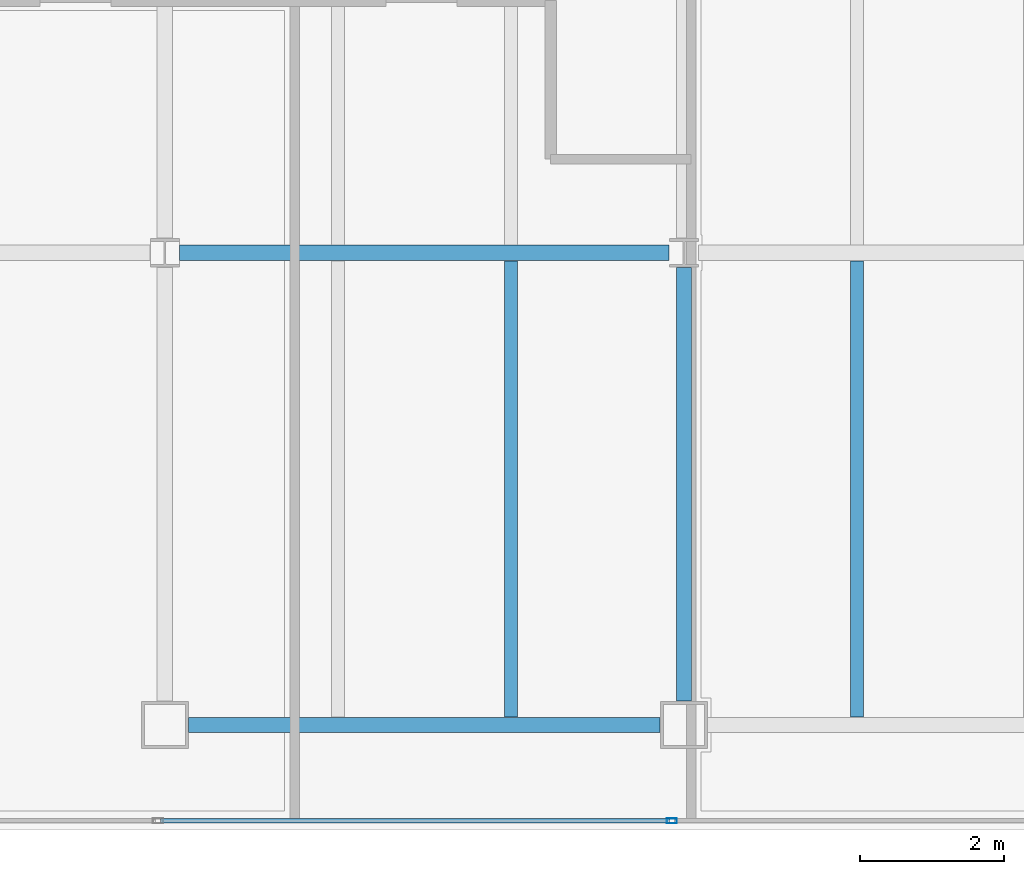
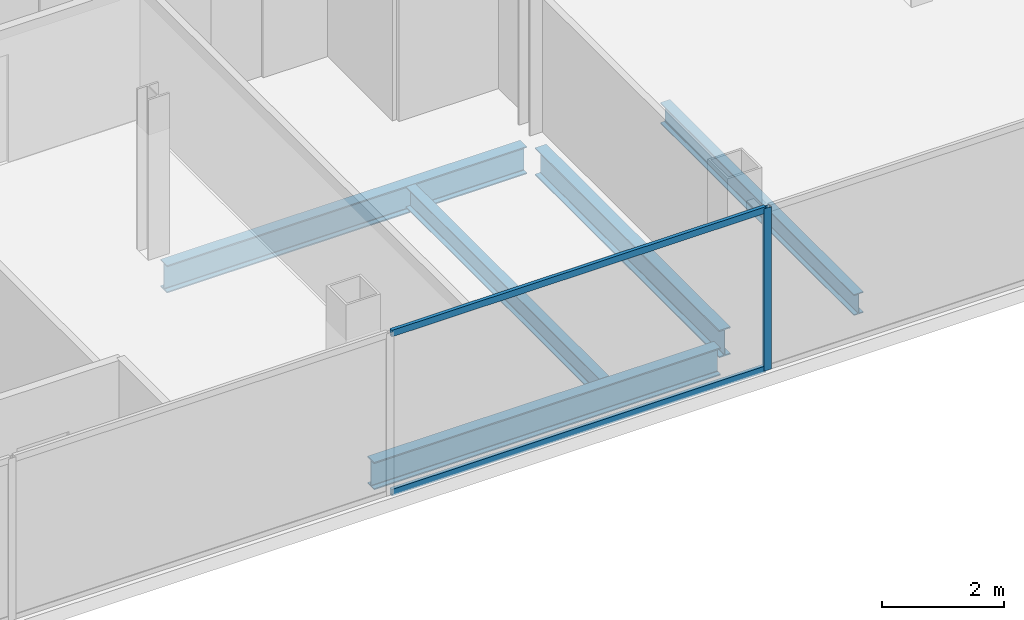
# One storey, part 6 of 23: 5 beams, 3 members, 1 element without a shape of its own.
"""IFC4 building model written with IfcOpenShell, lengths in metres."""

from ifc_helpers import new_model, si_unit, direction, frame, origin, origin_2d, place, context, subcontext, project, spatial, hollow_rectangle, i_section, extrude, material, material_profile, profile_set, type_object, element, aggregate, save


model = new_model("IFC4")

# Units and contexts
model_context = context("Model", 3, precision=1e-05, world=origin(), true_north=direction((0.0, 1.0)))
body_context = subcontext(model_context, "Body", "Model", "MODEL_VIEW")
ifc_project = project(units=[si_unit("LENGTHUNIT", "METRE"), si_unit("AREAUNIT", "SQUARE_METRE"), si_unit("VOLUMEUNIT", "CUBIC_METRE"), si_unit("PLANEANGLEUNIT", "RADIAN"), si_unit("MASSUNIT", "GRAM", prefix="KILO")], contexts=[model_context])

# Site, building, storey
site_placement = place(None, origin())
site = spatial("IfcSite", under=ifc_project, at=site_placement, CompositionType="ELEMENT")
building_placement = place(site_placement, origin())
building = spatial("IfcBuilding", under=site, at=building_placement, Name="Cobrela Telecom Tower", CompositionType="ELEMENT")
storey_placement = place(building_placement, frame((0.0, 0.0, 262.14990234375)))
storey = spatial("IfcBuildingStorey", under=building, at=storey_placement, Name="L68", CompositionType="ELEMENT", Elevation=262.14990234375)

# Beams
ifc_material_1 = material(Name="Steel ASTM A992 Grade 50", Category="steel")
ifc_material_profile_1 = material_profile(ifc_material_1, i_section(OverallWidth=0.212890625, OverallDepth=0.549072265625, WebThickness=0.0146484375, FlangeThickness=0.023681640625, FilletRadius=0.013916015625, at=origin_2d()), Name="W21X93")
ifc_profile_set_1 = profile_set([ifc_material_profile_1], Name="Steel ASTM A992 Grade 50")
beam_type_1 = type_object("IfcBeamType", Name="BM-GIRD-08", PredefinedType="USERDEFINED", material=ifc_profile_set_1)
beam_1_placement = place(storey_placement, frame((21.929931640625, 7.85009765625, -0.534423828125), z_axis=(1.0, 0.0, 0.0), x_axis=(0.0, 1.0, 0.0)))
element("IfcBeam", 1, at=beam_1_placement, inside=storey, type_object=beam_type_1, Name="L68 Primary Girder X03", ObjectType="GIRDER", PredefinedType="USERDEFINED", context=body_context, shape_type="SweptSolid", body=[
    extrude(i_section(OverallWidth=0.212890625, OverallDepth=0.549072265625, WebThickness=0.0146484375, FlangeThickness=0.023681640625, FilletRadius=0.013916015625, at=origin_2d()), origin(), (0.0, 0.0, 1.0), 6.5400390625),
])
beam_2_placement = place(storey_placement, frame((21.804443359375, 14.39990234375, -0.534423828125), z_axis=(1.0, 0.0, 0.0), x_axis=(0.0, 1.0, 0.0)))
element("IfcBeam", 2, at=beam_2_placement, inside=storey, type_object=beam_type_1, Name="L68 Primary Girder X06", ObjectType="GIRDER", PredefinedType="USERDEFINED", context=body_context, shape_type="SweptSolid", body=[
    extrude(i_section(OverallWidth=0.212890625, OverallDepth=0.549072265625, WebThickness=0.0146484375, FlangeThickness=0.023681640625, FilletRadius=0.013916015625, at=origin_2d()), origin(), (0.0, 0.0, 1.0), 6.791015625),
])
beam_3_placement = place(storey_placement, frame((28.800048828125, 8.179931640625, -0.534423828125), z_axis=(0.0, 1.0, 0.0), x_axis=(-1.0, 0.0, 0.0)))
element("IfcBeam", 3, at=beam_3_placement, inside=storey, type_object=beam_type_1, Name="L68 Primary Girder Y29", ObjectType="GIRDER", PredefinedType="USERDEFINED", context=body_context, shape_type="SweptSolid", body=[
    extrude(i_section(OverallWidth=0.212890625, OverallDepth=0.549072265625, WebThickness=0.0146484375, FlangeThickness=0.023681640625, FilletRadius=0.013916015625, at=origin_2d()), origin(), (0.0, 0.0, 1.0), 6.015625),
])
ifc_material_profile_2 = material_profile(ifc_material_1, i_section(OverallWidth=0.179931640625, OverallDepth=0.4169921875, WebThickness=0.010986328125, FlangeThickness=0.01806640625, FilletRadius=0.011962890625, at=origin_2d()), Name="W16X57")
ifc_profile_set_2 = profile_set([ifc_material_profile_2], Name="Steel ASTM A992 Grade 50")
beam_type_2 = type_object("IfcBeamType", Name="BM-JOIST-04", PredefinedType="JOIST", material=ifc_profile_set_2)
for number, where, z_axis, x_axis, name in (
    (4, (26.39990234375, 7.96142578125, -0.468505859375), (0.0, 1.0, 0.0), (-1.0, 0.0, 0.0), "L68 Secondary Composite Floor Beam J09"),
    (5, (31.199951171875, 7.96142578125, -0.468505859375), (0.0, 1.0, 0.0), (-1.0, 0.0, 0.0), "L68 Secondary Composite Floor Beam J11"),
):
    element("IfcBeam", number, at=place(storey_placement, frame(where, z_axis=z_axis, x_axis=x_axis)), inside=storey, type_object=beam_type_2, Name=name, PredefinedType="JOIST", context=body_context, shape_type="SweptSolid", body=[
        extrude(i_section(OverallWidth=0.179931640625, OverallDepth=0.4169921875, WebThickness=0.010986328125, FlangeThickness=0.01806640625, FilletRadius=0.011962890625, at=origin_2d()), origin(), (0.0, 0.0, 1.0), 6.3271484375),
    ])

# Curtain wall, members
ifc_material_2 = material(Name="Anodized Bronze Aluminium 6063-T6", Category="aluminium")
curtain_wall_type = type_object("IfcCurtainWallType", Name="CW-SYS-OFF-HI", PredefinedType="USERDEFINED", material=ifc_material_2)
curtain_wall_placement = place(storey_placement, origin())
curtain_wall = element("IfcCurtainWall", 6, at=curtain_wall_placement, inside=storey, type_object=curtain_wall_type, Name="L68 Unitised Bronze Curtain Wall 15", ObjectType="UNITISED CURTAIN WALL", PredefinedType="USERDEFINED")
ifc_material_profile_3 = material_profile(ifc_material_2, hollow_rectangle(XDim=0.070068359375, YDim=0.139892578125, WallThickness=0.00390625, at=origin_2d()), Name="ALU 70x140x4")
ifc_profile_set_3 = profile_set([ifc_material_profile_3], Name="Anodized Bronze Aluminium 6063-T6")
member_type_1 = type_object("IfcMemberType", Name="CW-SYS-OFF-HI-MUL", PredefinedType="MULLION", material=ifc_profile_set_3)
member_1_placement = place(storey_placement, frame((28.63330078125, 6.52001953125, 0.0), z_axis=(0.0, 0.0, 1.0), x_axis=(0.0, -1.0, 0.0)))
member_1 = element("IfcMember", 7, at=member_1_placement, type_object=member_type_1, Name="CW-OFF-HI mullion 3", PredefinedType="MULLION", context=body_context, shape_type="SweptSolid", body=[
    extrude(hollow_rectangle(XDim=0.070068359375, YDim=0.139892578125, WallThickness=0.00390625, at=origin_2d()), origin(), (0.0, 0.0, 1.0), 3.239990234375),
])
ifc_material_profile_4 = material_profile(ifc_material_2, hollow_rectangle(XDim=0.06494140625, YDim=0.1298828125, WallThickness=0.00390625, at=origin_2d()), Name="ALU 65x130x4")
ifc_profile_set_4 = profile_set([ifc_material_profile_4], Name="Anodized Bronze Aluminium 6063-T6")
member_type_2 = type_object("IfcMemberType", Name="CW-SYS-OFF-HI-TRN", PredefinedType="USERDEFINED", material=ifc_profile_set_4)
member_2_placement = place(storey_placement, frame((28.598388671875, 6.52001953125, 0.03271484375), z_axis=(-1.0, 0.0, 0.0), x_axis=(0.0, -1.0, 0.0)))
member_2 = element("IfcMember", 8, at=member_2_placement, type_object=member_type_2, Name="CW-OFF-HI transom 3.1", ObjectType="TRANSOM", PredefinedType="USERDEFINED", context=body_context, shape_type="SweptSolid", body=[
    extrude(hollow_rectangle(XDim=0.06494140625, YDim=0.1298828125, WallThickness=0.00390625, at=origin_2d()), origin(), (0.0, 0.0, 1.0), 7.058349609375),
])
member_3_placement = place(storey_placement, frame((28.598388671875, 6.52001953125, 3.20751953125), z_axis=(-1.0, 0.0, 0.0), x_axis=(0.0, -1.0, 0.0)))
member_3 = element("IfcMember", 9, at=member_3_placement, type_object=member_type_2, Name="CW-OFF-HI transom 3.2", ObjectType="TRANSOM", PredefinedType="USERDEFINED", context=body_context, shape_type="SweptSolid", body=[
    extrude(hollow_rectangle(XDim=0.06494140625, YDim=0.1298828125, WallThickness=0.00390625, at=origin_2d()), origin(), (0.0, 0.0, 1.0), 7.058349609375),
])
aggregate(curtain_wall, [member_1, member_2, member_3])

save(model, "model.ifc")
